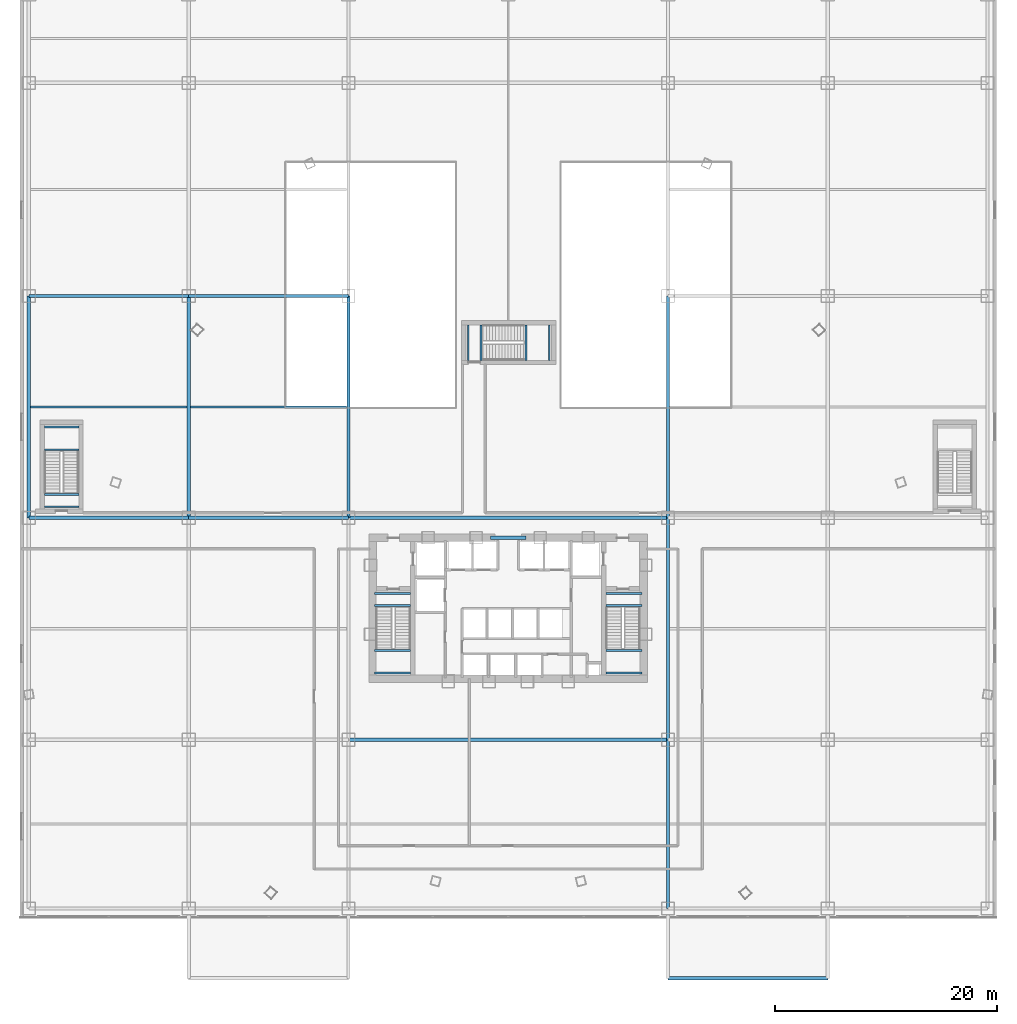
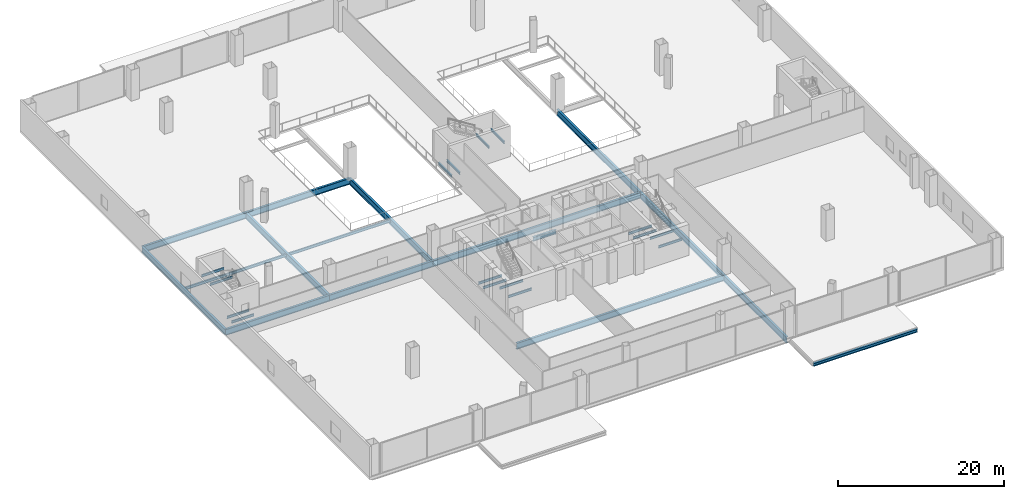
# One storey, part 12 of 42: 32 beams.
"""IFC4 building model written with IfcOpenShell, lengths in metres."""

from ifc_helpers import new_model, si_unit, direction, frame, origin, origin_2d, place, context, subcontext, project, spatial, i_section, extrude, source, transform, mapped, material, material_profile, profile_set, type_object, element, save


model = new_model("IFC4")

# Units and contexts
model_context = context("Model", 3, precision=1e-05, world=origin(), true_north=direction((0.0, 1.0)))
body_context = subcontext(model_context, "Body", "Model", "MODEL_VIEW")
ifc_project = project(units=[si_unit("LENGTHUNIT", "METRE"), si_unit("AREAUNIT", "SQUARE_METRE"), si_unit("VOLUMEUNIT", "CUBIC_METRE"), si_unit("PLANEANGLEUNIT", "RADIAN"), si_unit("MASSUNIT", "GRAM", prefix="KILO"), si_unit("THERMODYNAMICTEMPERATUREUNIT", "KELVIN"), si_unit("POWERUNIT", "WATT")], contexts=[model_context])

# Site, building, storey
site_placement = place(None, origin())
site = spatial("IfcSite", under=ifc_project, at=site_placement, CompositionType="ELEMENT")
building_placement = place(site_placement, origin())
building = spatial("IfcBuilding", under=site, at=building_placement, Name="Yunzhuo Pagoda Commons", CompositionType="ELEMENT")
storey_placement = place(building_placement, frame((0.0, 0.0, 4.800048828125)))
storey = spatial("IfcBuildingStorey", under=building, at=storey_placement, Name="L02", CompositionType="ELEMENT", Elevation=4.800048828125)

# Beams
ifc_material_1 = material(Name="Structural steel Q355B", Category="steel")
ifc_material_profile_1 = material_profile(ifc_material_1, i_section(OverallWidth=0.175048828125, OverallDepth=0.35009765625, WebThickness=0.007080078125, FlangeThickness=0.010986328125, at=origin_2d()), Name="Structural steel Q355B")
ifc_profile_set_1 = profile_set([ifc_material_profile_1], Name="Structural steel Q355B")
beam_type_1 = type_object("IfcBeamType", Name="B-JS2 Joist HN 350x175x7x11", PredefinedType="JOIST", material=ifc_profile_set_1)
shared_shape_1 = source(origin(), body_context, "Body", "SweptSolid", [
    extrude(i_section(OverallWidth=0.175048828125, OverallDepth=0.35009765625, WebThickness=0.007080078125, FlangeThickness=0.010986328125, at=origin_2d()), origin(), (0.0, 0.0, 1.0), 3.25),
])
for number, where, z_axis, x_axis, name in (
    (1, (35.949951171875, 28.0, 2.02490234375), (1.0, 0.0, 0.0), (0.0, 1.0, 0.0), "L02 ST1 landing support beam 4A"),
    (2, (35.949951171875, 30.06005859375, 2.02490234375), (1.0, 0.0, 0.0), (0.0, 1.0, 0.0), "L02 ST1 landing support beam 4B"),
    (3, (35.949951171875, 34.10009765625, -0.375), (1.0, 0.0, 0.0), (0.0, 1.0, 0.0), "L02 ST1 landing support beam 106A"),
    (4, (35.949951171875, 35.199951171875, -0.375), (1.0, 0.0, 0.0), (0.0, 1.0, 0.0), "L02 ST1 landing support beam 106B"),
    (5, (56.800048828125, 28.0, 2.02490234375), (1.0, 0.0, 0.0), (0.0, 1.0, 0.0), "L02 ST2 landing support beam 4A"),
    (6, (56.800048828125, 30.06005859375, 2.02490234375), (1.0, 0.0, 0.0), (0.0, 1.0, 0.0), "L02 ST2 landing support beam 4B"),
    (7, (56.800048828125, 34.10009765625, -0.375), (1.0, 0.0, 0.0), (0.0, 1.0, 0.0), "L02 ST2 landing support beam 106A"),
    (8, (56.800048828125, 35.199951171875, -0.375), (1.0, 0.0, 0.0), (0.0, 1.0, 0.0), "L02 ST2 landing support beam 106B"),
):
    element("IfcBeam", number, at=place(storey_placement, frame(where, z_axis=z_axis, x_axis=x_axis)), inside=storey, type_object=beam_type_1, Name=name, PredefinedType="JOIST", context=body_context, shape_type="MappedRepresentation", body=[
        mapped(shared_shape_1, transform((0.0, 0.0, 0.0), scale=1.0)),
    ])
shared_shape_2 = source(origin(), body_context, "Body", "SweptSolid", [
    extrude(i_section(OverallWidth=0.175048828125, OverallDepth=0.35009765625, WebThickness=0.007080078125, FlangeThickness=0.010986328125, at=origin_2d()), origin(), (0.0, 0.0, 1.0), 3.199951171875),
])
for number, where, z_axis, x_axis, name in (
    (9, (49.590087890625, 56.199951171875, 2.02490234375), (0.0, 1.0, 0.0), (-1.0, 0.0, 0.0), "L02 ST3 landing support beam 4A"),
    (10, (51.699951171875, 56.199951171875, 2.02490234375), (0.0, 1.0, 0.0), (-1.0, 0.0, 0.0), "L02 ST3 landing support beam 4B"),
    (11, (44.39990234375, 56.199951171875, -0.375), (0.0, 1.0, 0.0), (-1.0, 0.0, 0.0), "L02 ST3 landing support beam 76A"),
    (12, (45.550048828125, 56.199951171875, -0.375), (0.0, 1.0, 0.0), (-1.0, 0.0, 0.0), "L02 ST3 landing support beam 76B"),
):
    element("IfcBeam", number, at=place(storey_placement, frame(where, z_axis=z_axis, x_axis=x_axis)), inside=storey, type_object=beam_type_1, Name=name, PredefinedType="JOIST", context=body_context, shape_type="MappedRepresentation", body=[
        mapped(shared_shape_2, transform((0.0, 0.0, 0.0), scale=1.0)),
    ])
shared_shape_3 = source(origin(), body_context, "Body", "SweptSolid", [
    extrude(i_section(OverallWidth=0.175048828125, OverallDepth=0.35009765625, WebThickness=0.007080078125, FlangeThickness=0.010986328125, at=origin_2d()), origin(), (0.0, 0.0, 1.0), 3.10009765625),
])
for number, where, z_axis, x_axis, name in (
    (13, (6.199951171875, 48.139892578125, 2.02490234375), (1.0, 0.0, 0.0), (0.0, 1.0, 0.0), "L02 PS3 landing support beam 4A"),
    (14, (6.199951171875, 50.199951171875, 2.02490234375), (1.0, 0.0, 0.0), (0.0, 1.0, 0.0), "L02 PS3 landing support beam 4B"),
    (15, (6.199951171875, 43.0, -0.375), (1.0, 0.0, 0.0), (0.0, 1.0, 0.0), "L02 PS3 landing support beam 12A"),
    (16, (6.199951171875, 44.10009765625, -0.375), (1.0, 0.0, 0.0), (0.0, 1.0, 0.0), "L02 PS3 landing support beam 12B"),
):
    element("IfcBeam", number, at=place(storey_placement, frame(where, z_axis=z_axis, x_axis=x_axis)), inside=storey, type_object=beam_type_1, Name=name, PredefinedType="JOIST", context=body_context, shape_type="MappedRepresentation", body=[
        mapped(shared_shape_3, transform((0.0, 0.0, 0.0), scale=1.0)),
    ])
ifc_material_2 = material(Name="Structural steel Q420B", Category="steel")
ifc_material_profile_2 = material_profile(ifc_material_2, i_section(OverallWidth=0.300048828125, OverallDepth=0.587890625, WebThickness=0.011962890625, FlangeThickness=0.02001953125, at=origin_2d()), Name="Structural steel Q420B")
ifc_profile_set_2 = profile_set([ifc_material_profile_2], Name="Structural steel Q420B")
beam_type_2 = type_object("IfcBeamType", Name="B-CPL Beam HM 588x300x12x20", PredefinedType="BEAM", material=ifc_profile_set_2)
shared_shape_4 = source(origin(), body_context, "Body", "SweptSolid", [
    extrude(i_section(OverallWidth=0.300048828125, OverallDepth=0.587890625, WebThickness=0.011962890625, FlangeThickness=0.02001953125, at=origin_2d()), origin(), (0.0, 0.0, 1.0), 3.2001953125),
])
beam_1_placement = place(storey_placement, frame((46.39990234375, 40.199951171875, -0.573974609375), z_axis=(1.0, 0.0, 0.0), x_axis=(0.0, 1.0, 0.0)))
element("IfcBeam", 17, at=beam_1_placement, inside=storey, type_object=beam_type_2, Name="L02 core coupling girder", PredefinedType="BEAM", context=body_context, shape_type="MappedRepresentation", body=[
    mapped(shared_shape_4, transform((0.0, 0.0, 0.0), scale=1.0)),
])
ifc_material_profile_3 = material_profile(ifc_material_1, i_section(OverallWidth=0.300048828125, OverallDepth=0.89990234375, WebThickness=0.01611328125, FlangeThickness=0.028076171875, at=origin_2d()), Name="Structural steel Q355B")
ifc_profile_set_3 = profile_set([ifc_material_profile_3], Name="Structural steel Q355B")
beam_type_3 = type_object("IfcBeamType", Name="B-PD1 Beam HN 900x300x16x28", PredefinedType="BEAM", material=ifc_profile_set_3)
shared_shape_5 = source(origin(), body_context, "Body", "SweptSolid", [
    extrude(i_section(OverallWidth=0.300048828125, OverallDepth=0.89990234375, WebThickness=0.01611328125, FlangeThickness=0.028076171875, at=origin_2d()), origin(), (0.0, 0.0, 1.0), 14.39990234375),
])
for number, where, z_axis, x_axis, name in (
    (18, (4.800048828125, 42.0, -0.72998046875), (1.0, 0.0, 0.0), (0.0, 1.0, 0.0), "L02 podium girder EW 3.1"),
    (19, (4.800048828125, 62.0, -0.72998046875), (1.0, 0.0, 0.0), (0.0, 1.0, 0.0), "L02 podium girder EW 4.1"),
):
    element("IfcBeam", number, at=place(storey_placement, frame(where, z_axis=z_axis, x_axis=x_axis)), inside=storey, type_object=beam_type_3, Name=name, PredefinedType="BEAM", context=body_context, shape_type="MappedRepresentation", body=[
        mapped(shared_shape_5, transform((0.0, 0.0, 0.0), scale=1.0)),
    ])
shared_shape_6 = source(origin(), body_context, "Body", "SweptSolid", [
    extrude(i_section(OverallWidth=0.300048828125, OverallDepth=0.89990234375, WebThickness=0.01611328125, FlangeThickness=0.028076171875, at=origin_2d()), origin(), (0.0, 0.0, 1.0), 14.400146484375),
])
for number, where, z_axis, x_axis, name in (
    (20, (19.199951171875, 42.0, -0.72998046875), (1.0, 0.0, 0.0), (0.0, 1.0, 0.0), "L02 podium girder EW 3.2"),
    (21, (19.199951171875, 62.0, -0.72998046875), (1.0, 0.0, 0.0), (0.0, 1.0, 0.0), "L02 podium girder EW 4.2"),
):
    element("IfcBeam", number, at=place(storey_placement, frame(where, z_axis=z_axis, x_axis=x_axis)), inside=storey, type_object=beam_type_3, Name=name, PredefinedType="BEAM", context=body_context, shape_type="MappedRepresentation", body=[
        mapped(shared_shape_6, transform((0.0, 0.0, 0.0), scale=1.0)),
    ])
shared_shape_7 = source(origin(), body_context, "Body", "SweptSolid", [
    extrude(i_section(OverallWidth=0.300048828125, OverallDepth=0.89990234375, WebThickness=0.01611328125, FlangeThickness=0.028076171875, at=origin_2d()), origin(), (0.0, 0.0, 1.0), 28.7998046875),
])
for number, where, z_axis, x_axis, name in (
    (22, (33.60009765625, 22.0, -0.72998046875), (1.0, 0.0, 0.0), (0.0, 1.0, 0.0), "L02 podium girder EW 2.3"),
    (23, (33.60009765625, 42.0, -0.72998046875), (1.0, 0.0, 0.0), (0.0, 1.0, 0.0), "L02 podium girder EW 3.3"),
):
    element("IfcBeam", number, at=place(storey_placement, frame(where, z_axis=z_axis, x_axis=x_axis)), inside=storey, type_object=beam_type_3, Name=name, PredefinedType="BEAM", context=body_context, shape_type="MappedRepresentation", body=[
        mapped(shared_shape_7, transform((0.0, 0.0, 0.0), scale=1.0)),
    ])
ifc_material_profile_4 = material_profile(ifc_material_1, i_section(OverallWidth=0.199951171875, OverallDepth=0.39990234375, WebThickness=0.008056640625, FlangeThickness=0.012939453125, at=origin_2d()), Name="Structural steel Q355B")
ifc_profile_set_4 = profile_set([ifc_material_profile_4], Name="Structural steel Q355B")
beam_type_4 = type_object("IfcBeamType", Name="B-JS1 Joist HN 400x200x8x13", PredefinedType="JOIST", material=ifc_profile_set_4)
shared_shape_8 = source(origin(), body_context, "Body", "SweptSolid", [
    extrude(i_section(OverallWidth=0.199951171875, OverallDepth=0.39990234375, WebThickness=0.008056640625, FlangeThickness=0.012939453125, at=origin_2d()), origin(), (0.0, 0.0, 1.0), 14.08984375),
])
for number, where, z_axis, x_axis, name in (
    (24, (4.955078125, 52.0, -0.47998046875), (1.0, 0.0, 0.0), (0.0, 1.0, 0.0), "L02 podium composite joist 1.3"),
    (25, (19.355224609375, 52.0, -0.47998046875), (1.0, 0.0, 0.0), (0.0, 1.0, 0.0), "L02 podium composite joist 2.3"),
):
    element("IfcBeam", number, at=place(storey_placement, frame(where, z_axis=z_axis, x_axis=x_axis)), inside=storey, type_object=beam_type_4, Name=name, PredefinedType="JOIST", context=body_context, shape_type="MappedRepresentation", body=[
        mapped(shared_shape_8, transform((0.0, 0.0, 0.0), scale=1.0)),
    ])
ifc_material_profile_5 = material_profile(ifc_material_1, i_section(OverallWidth=0.300048828125, OverallDepth=0.800048828125, WebThickness=0.013916015625, FlangeThickness=0.02587890625, at=origin_2d()), Name="Structural steel Q355B")
ifc_profile_set_5 = profile_set([ifc_material_profile_5], Name="Structural steel Q355B")
beam_type_5 = type_object("IfcBeamType", Name="B-PD2 Beam HN 800x300x14x26", PredefinedType="BEAM", material=ifc_profile_set_5)
shared_shape_9 = source(origin(), body_context, "Body", "SweptSolid", [
    extrude(i_section(OverallWidth=0.300048828125, OverallDepth=0.800048828125, WebThickness=0.013916015625, FlangeThickness=0.02587890625, at=origin_2d()), origin(), (0.0, 0.0, 1.0), 20.0),
])
beam_2_placement = place(storey_placement, frame((4.800048828125, 42.0, -0.679931640625), z_axis=(0.0, 1.0, 0.0), x_axis=(-1.0, 0.0, 0.0)))
element("IfcBeam", 26, at=beam_2_placement, inside=storey, type_object=beam_type_5, Name="L02 podium girder NS 1.3", PredefinedType="BEAM", context=body_context, shape_type="MappedRepresentation", body=[
    mapped(shared_shape_9, transform((0.0, 0.0, 0.0), scale=1.0)),
])
shared_shape_10 = source(origin(), body_context, "Body", "SweptSolid", [
    extrude(i_section(OverallWidth=0.300048828125, OverallDepth=0.89990234375, WebThickness=0.01611328125, FlangeThickness=0.028076171875, at=origin_2d()), origin(), (0.0, 0.0, 1.0), 15.199951171875),
])
beam_3_placement = place(storey_placement, frame((62.39990234375, 6.800048828125, -0.72998046875), z_axis=(0.0, 1.0, 0.0), x_axis=(-1.0, 0.0, 0.0)))
element("IfcBeam", 27, at=beam_3_placement, inside=storey, type_object=beam_type_3, Name="L02 podium girder NS 4.1", PredefinedType="BEAM", context=body_context, shape_type="MappedRepresentation", body=[
    mapped(shared_shape_10, transform((0.0, 0.0, 0.0), scale=1.0)),
])
shared_shape_11 = source(origin(), body_context, "Body", "SweptSolid", [
    extrude(i_section(OverallWidth=0.300048828125, OverallDepth=0.89990234375, WebThickness=0.01611328125, FlangeThickness=0.028076171875, at=origin_2d()), origin(), (0.0, 0.0, 1.0), 20.0),
])
for number, where, z_axis, x_axis, name in (
    (28, (19.199951171875, 42.0, -0.72998046875), (0.0, 1.0, 0.0), (-1.0, 0.0, 0.0), "L02 podium girder NS 2.3"),
    (29, (33.60009765625, 42.0, -0.72998046875), (0.0, 1.0, 0.0), (-1.0, 0.0, 0.0), "L02 podium girder NS 3.3"),
    (30, (62.39990234375, 22.0, -0.72998046875), (0.0, 1.0, 0.0), (-1.0, 0.0, 0.0), "L02 podium girder NS 4.2"),
    (31, (62.39990234375, 42.0, -0.72998046875), (0.0, 1.0, 0.0), (-1.0, 0.0, 0.0), "L02 podium girder NS 4.3"),
):
    element("IfcBeam", number, at=place(storey_placement, frame(where, z_axis=z_axis, x_axis=x_axis)), inside=storey, type_object=beam_type_3, Name=name, PredefinedType="BEAM", context=body_context, shape_type="MappedRepresentation", body=[
        mapped(shared_shape_11, transform((0.0, 0.0, 0.0), scale=1.0)),
    ])
ifc_material_profile_6 = material_profile(ifc_material_1, i_section(OverallWidth=0.300048828125, OverallDepth=0.43994140625, WebThickness=0.010986328125, FlangeThickness=0.01806640625, at=origin_2d()), Name="Structural steel Q355B")
ifc_profile_set_6 = profile_set([ifc_material_profile_6], Name="Structural steel Q355B")
beam_type_6 = type_object("IfcBeamType", Name="B-SP2 Beam HM 440x300x11x18", PredefinedType="BEAM", material=ifc_profile_set_6)
shared_shape_12 = source(origin(), body_context, "Body", "SweptSolid", [
    extrude(i_section(OverallWidth=0.300048828125, OverallDepth=0.43994140625, WebThickness=0.010986328125, FlangeThickness=0.01806640625, at=origin_2d()), origin(), (0.0, 0.0, 1.0), 14.400146484375),
])
beam_4_placement = place(storey_placement, frame((62.39990234375, 0.5, -0.5), z_axis=(1.0, 0.0, 0.0), x_axis=(0.0, 1.0, 0.0)))
element("IfcBeam", 32, at=beam_4_placement, inside=storey, type_object=beam_type_6, Name="South canopy edge beam 2", PredefinedType="BEAM", context=body_context, shape_type="MappedRepresentation", body=[
    mapped(shared_shape_12, transform((0.0, 0.0, 0.0), scale=1.0)),
])

save(model, "model.ifc")
